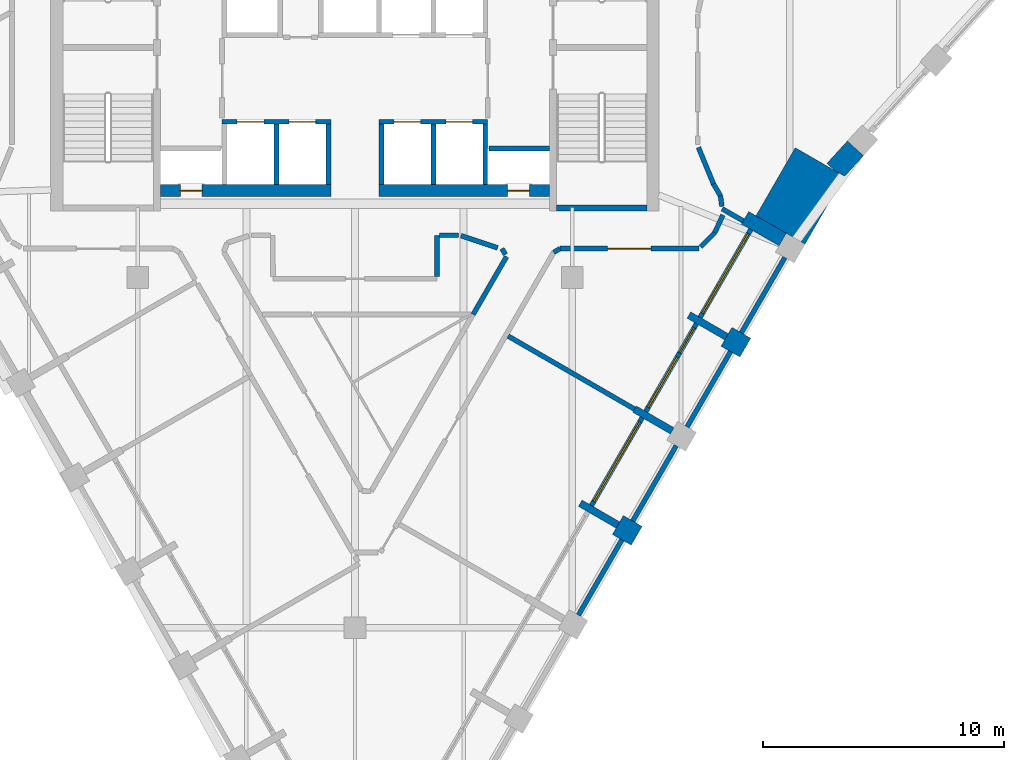
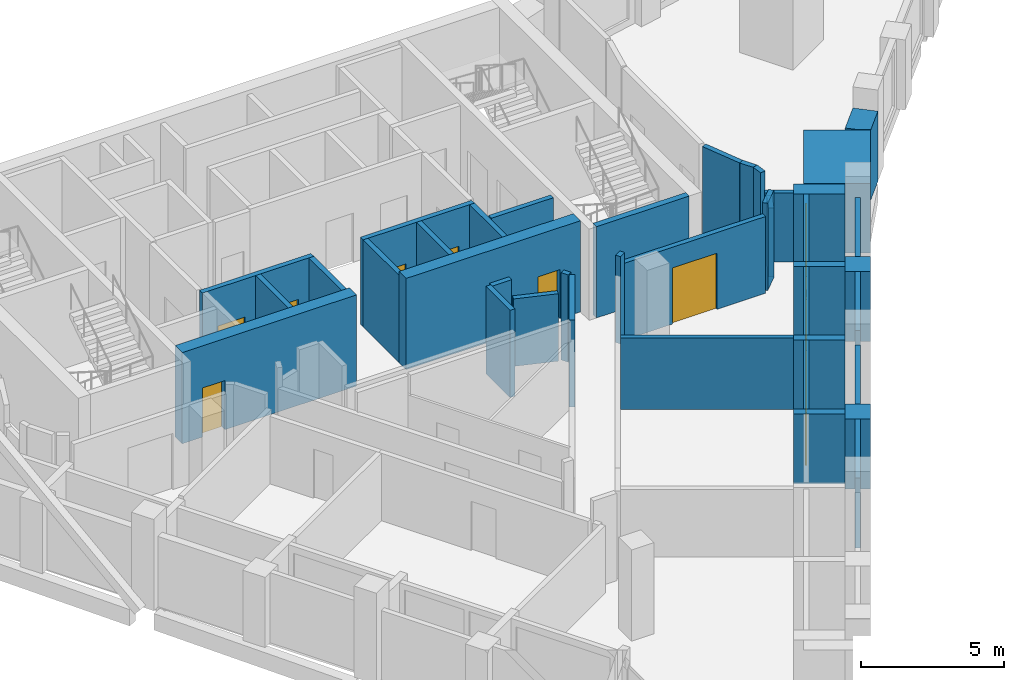
# One storey, part 4 of 8: 40 walls, 8 doors, 3 windows, 11 openings.
"""IFC4 building model written with IfcOpenShell, lengths in metres."""

from ifc_helpers import new_model, si_unit, direction, frame, frame_2d, origin, place, context, subcontext, project, spatial, polyline, rectangle, outline, extrude, material, layer, layer_set, type_object, element, fill, save


model = new_model("IFC4")

# Units and contexts
model_context = context("Model", 3, precision=1e-05, world=origin(), true_north=direction((0.0, 1.0)))
body_context = subcontext(model_context, "Body", "Model", "MODEL_VIEW")
ifc_project = project(units=[si_unit("LENGTHUNIT", "METRE"), si_unit("AREAUNIT", "SQUARE_METRE"), si_unit("VOLUMEUNIT", "CUBIC_METRE"), si_unit("PLANEANGLEUNIT", "RADIAN"), si_unit("MASSUNIT", "GRAM", prefix="KILO")], contexts=[model_context])

# Site, building, storey
site_placement = place(None, origin())
site = spatial("IfcSite", under=ifc_project, at=site_placement, CompositionType="ELEMENT")
building_placement = place(site_placement, origin())
building = spatial("IfcBuilding", under=site, at=building_placement, Name="Calabash Gate Tower", CompositionType="ELEMENT")
storey_placement = place(building_placement, frame((0.0, 0.0, 271.60009765625)))
storey = spatial("IfcBuildingStorey", under=building, at=storey_placement, Name="L65", CompositionType="ELEMENT", Elevation=271.60009765625)

# Walls
ifc_material_1 = material(Name="Terracotta brick masonry, exposed face", Category="masonry")
ifc_layer_1 = layer(ifc_material_1, 2.35009765625)
ifc_layer_set_1 = layer_set([ifc_layer_1], Name="Brick corner mass wall 2350")
wall_type_1 = type_object("IfcWallType", Name="Brick corner mass wall 2350", PredefinedType="SOLIDWALL", material=ifc_layer_set_1)
wall_1_placement = place(storey_placement, origin())
element("IfcWall", 1, at=wall_1_placement, inside=storey, type_object=wall_type_1, Name="Brick corner pier S19 2", PredefinedType="SOLIDWALL", context=body_context, shape_type="SweptSolid", body=[
    extrude(outline(polyline([(18.236083984375, 7.878173828125), (16.609375, 5.06103515625), (18.644775390625, 3.885986328125), (20.271240234375, 6.703125), (18.236083984375, 7.878173828125)])), origin(), (0.0, 0.0, 1.0), 2.973388671875),
])
ifc_material_2 = material(Name="Terracotta brick masonry, exposed face", Category="masonry")
ifc_layer_2 = layer(ifc_material_2, 0.89990234375)
ifc_layer_set_2 = layer_set([ifc_layer_2], Name="Brick end wall 900")
wall_type_2 = type_object("IfcWallType", Name="Brick end wall 900", PredefinedType="SOLIDWALL", material=ifc_layer_set_2)
for number, where, z_axis, x_axis, name in (
    (2, (10.89013671875, -7.7451171875, 0.0), (0.0, 0.0, 1.0), (0.866081705922, -0.499902469156, 0.0), "Brick pier S19 SE2.3"),
    (3, (16.169677734375, -0.40087890625, 0.0), (0.0, 0.0, 1.0), (-0.866081705922, 0.499902469156, 0.0), "Brick pier S19 SE2.5"),
):
    element("IfcWall", number, at=place(storey_placement, frame(where, z_axis=z_axis, x_axis=x_axis)), inside=storey, type_object=wall_type_2, Name=name, PredefinedType="SOLIDWALL", context=body_context, shape_type="SweptSolid", body=[
        extrude(rectangle(XDim=0.900146484375, YDim=0.89990234375, at=frame_2d((0.4501953125, 0.0))), origin(), (0.0, 0.0, 1.0), 3.0),
    ])
wall_2_placement = place(storey_placement, origin())
element("IfcWall", 4, at=wall_2_placement, inside=storey, type_object=wall_type_2, Name="Brick end wall S19 1", PredefinedType="SOLIDWALL", context=body_context, shape_type="SweptSolid", body=[
    extrude(outline(polyline([(20.394775390625, 8.15625), (19.54931640625, 7.23193359375), (19.88134765625, 6.92822265625), (20.271240234375, 6.703125), (20.24658203125, 6.66064453125), (21.058837890625, 7.548828125), (20.394775390625, 8.15625)])), origin(), (0.0, 0.0, 1.0), 3.0),
])
ifc_material_3 = material(Name="Terracotta brick masonry, exposed face", Category="masonry")
ifc_layer_3 = layer(ifc_material_3, 0.300048828125)
ifc_layer_set_3 = layer_set([ifc_layer_3], Name="Brick loggia cheek wall 300")
wall_type_3 = type_object("IfcWallType", Name="Brick loggia cheek wall 300", PredefinedType="SOLIDWALL", material=ifc_layer_set_3)
for number, where, z_axis, x_axis, name in (
    (5, (10.89013671875, -7.7451171875, 0.0), (0.0, 0.0, 1.0), (-0.865989075817, 0.500062916607, 0.0), "Loggia cheek S19 SE2.3"),
    (6, (13.14013671875, -3.847900390625, 0.0), (0.0, 0.0, 1.0), (-0.866047807691, 0.499961193289, 0.0), "Loggia cheek S19 SE2.4"),
    (7, (13.831298828125, 0.94921875, 0.0), (0.0, 0.0, 1.0), (0.865989075817, -0.500062916607, 0.0), "Loggia cheek S19 SE2.5"),
):
    element("IfcWall", number, at=place(storey_placement, frame(where, z_axis=z_axis, x_axis=x_axis)), inside=storey, type_object=wall_type_3, Name=name, PredefinedType="SOLIDWALL", context=body_context, shape_type="SweptSolid", body=[
        extrude(rectangle(XDim=1.800048828125, YDim=0.300048828125, at=frame_2d((0.89990234375, 0.0))), origin(), (0.0, 0.0, 1.0), 3.0),
    ])
wall_3_placement = place(storey_placement, frame((17.71533203125, 4.076171875, 0.0), z_axis=(0.0, 0.0, 1.0), x_axis=(-0.866047807691, 0.499961193289, 0.0)))
element("IfcWall", 8, at=wall_3_placement, inside=storey, type_object=wall_type_3, Name="Loggia cheek S19 SE2.6", PredefinedType="SOLIDWALL", context=body_context, shape_type="SweptSolid", body=[
    extrude(rectangle(XDim=1.800048828125, YDim=0.60009765625, at=frame_2d((0.89990234375, 0.0))), origin(), (0.0, 0.0, 1.0), 2.949951171875),
])
ifc_material_4 = material(Name="Concrete C60/75", Category="concrete")
ifc_layer_4 = layer(ifc_material_4, 0.25)
ifc_layer_set_4 = layer_set([ifc_layer_4], Name="Core wall 250 Concrete C60/75")
wall_type_4 = type_object("IfcWallType", Name="Core wall 250 Concrete C60/75", PredefinedType="SHEAR", material=ifc_layer_set_4)
wall_4_placement = place(storey_placement, frame((8.35009765625, 5.377685546875, 0.0), z_axis=(0.0, 0.0, 1.0), x_axis=(1.0, 0.0, 0.0)))
element("IfcWall", 9, at=wall_4_placement, inside=storey, type_object=wall_type_4, Name="Core wall Z5-SSE L65", PredefinedType="SHEAR", context=body_context, shape_type="SweptSolid", body=[
    extrude(rectangle(XDim=3.75, YDim=0.25, at=frame_2d((1.875, 0.0))), origin(), (0.0, 0.0, 1.0), 3.89990234375),
])

# Wall, opening, door
ifc_material_5 = material(Name="Concrete C60/75", Category="concrete")
ifc_layer_5 = layer(ifc_material_5, 0.5)
ifc_layer_set_5 = layer_set([ifc_layer_5], Name="Core wall 500 Concrete C60/75")
wall_type_5 = type_object("IfcWallType", Name="Core wall 500 Concrete C60/75", PredefinedType="SHEAR", material=ifc_layer_set_5)
wall_5_placement = place(storey_placement, frame((-8.050048828125, 6.1025390625, 0.0), z_axis=(0.0, 0.0, 1.0), x_axis=(1.0, 0.0, 0.0)))
wall_5 = element("IfcWall", 10, at=wall_5_placement, inside=storey, type_object=wall_type_5, Name="Core wall Z5-SA L65", PredefinedType="SHEAR", context=body_context, shape_type="SweptSolid", body=[
    extrude(rectangle(XDim=7.050048828125, YDim=0.5, at=frame_2d((3.52490234375, 0.0))), origin(), (0.0, 0.0, 1.0), 3.89990234375),
])
opening_1_placement = place(wall_5_placement, frame((0.824951171875, 0.0, 0.0)))
opening_1 = element("IfcOpeningElement", 11, at=opening_1_placement, cuts=wall_5, Name="Opening O11-009", PredefinedType="OPENING", context=body_context, shape_type="SweptSolid", body=[
    extrude(rectangle(XDim=0.89990234375, YDim=2.10009765625, at=frame_2d((0.449951171875, 1.050048828125))), frame((0.0, 0.260009765625, 0.0), z_axis=(0.0, -1.0, 0.0), x_axis=(1.0, 0.0, 0.0)), (0.0, 0.0, 1.0), 0.52001953125),
])
ifc_material_6 = material(Name="Steel fire door set with fire-resisting glazing", Category="steel")
door_type_1 = type_object("IfcDoorType", Name="Fire door D07 900x2100 FD90", OperationType="NOTDEFINED", PredefinedType="DOOR", material=ifc_material_6)
door_1_placement = place(opening_1_placement, origin())
door_1 = element("IfcDoor", 12, at=door_1_placement, inside=storey, type_object=door_type_1, Name="Electrical Riser W door", OperationType="SINGLE_SWING_LEFT", OverallHeight=2.10009765625, OverallWidth=0.89990234375, PredefinedType="DOOR", context=body_context, shape_type="SweptSolid", body=[
    extrude(rectangle(XDim=0.89990234375, YDim=2.10009765625, at=frame_2d((0.449951171875, 1.050048828125))), frame((0.0, 0.02490234375, 0.0), z_axis=(0.0, -1.0, 0.0), x_axis=(1.0, 0.0, 0.0)), (0.0, 0.0, 1.0), 0.050048828125),
])
fill(opening_1, door_1)

wall_6_placement = place(storey_placement, frame((1.0, 6.1025390625, 0.0), z_axis=(0.0, 0.0, 1.0), x_axis=(1.0, 0.0, 0.0)))
wall_6 = element("IfcWall", 13, at=wall_6_placement, inside=storey, type_object=wall_type_5, Name="Core wall Z5-SB L65", PredefinedType="SHEAR", context=body_context, shape_type="SweptSolid", body=[
    extrude(rectangle(XDim=7.050048828125, YDim=0.5, at=frame_2d((3.52490234375, 0.0))), origin(), (0.0, 0.0, 1.0), 3.89990234375),
])
opening_2_placement = place(wall_6_placement, frame((5.324951171875, 0.0, 0.0)))
opening_2 = element("IfcOpeningElement", 14, at=opening_2_placement, cuts=wall_6, Name="Opening O11-008", PredefinedType="OPENING", context=body_context, shape_type="SweptSolid", body=[
    extrude(rectangle(XDim=0.89990234375, YDim=2.10009765625, at=frame_2d((0.449951171875, 1.050048828125))), frame((0.0, 0.260009765625, 0.0), z_axis=(0.0, -1.0, 0.0), x_axis=(1.0, 0.0, 0.0)), (0.0, 0.0, 1.0), 0.52001953125),
])
door_2_placement = place(opening_2_placement, origin())
door_2 = element("IfcDoor", 15, at=door_2_placement, inside=storey, type_object=door_type_1, Name="Mechanical Riser E door", OperationType="SINGLE_SWING_RIGHT", OverallHeight=2.10009765625, OverallWidth=0.89990234375, PredefinedType="DOOR", context=body_context, shape_type="SweptSolid", body=[
    extrude(rectangle(XDim=0.89990234375, YDim=2.10009765625, at=frame_2d((0.449951171875, 1.050048828125))), frame((0.0, 0.02490234375, 0.0), z_axis=(0.0, -1.0, 0.0), x_axis=(1.0, 0.0, 0.0)), (0.0, 0.0, 1.0), 0.050048828125),
])
fill(opening_2, door_2)

# Walls
ifc_material_7 = material(Name="Gypsum board on steel studs, mineral wool", Category="steel")
ifc_layer_6 = layer(ifc_material_7, 0.199951171875)
ifc_layer_set_6 = layer_set([ifc_layer_6], Name="Partition 200 gypsum board EI 60")
wall_type_6 = type_object("IfcWallType", Name="Partition 200 gypsum board EI 60", PredefinedType="PARTITIONING", material=ifc_layer_set_6)
wall_7_placement = place(storey_placement, frame((6.343505859375, 0.07861328125, 0.0), z_axis=(0.0, 0.0, 1.0), x_axis=(0.865886439471, -0.500240616045, 0.0)))
element("IfcWall", 16, at=wall_7_placement, inside=storey, type_object=wall_type_6, Name="Partition", PredefinedType="PARTITIONING", context=body_context, shape_type="SweptSolid", body=[
    extrude(rectangle(XDim=6.04931640625, YDim=0.199951171875, at=frame_2d((3.024658203125, 0.0))), origin(), (0.0, 0.0, 1.0), 3.0517578125),
])
wall_8_placement = place(storey_placement, frame((4.894287109375, 0.973876953125, 0.0), z_axis=(0.0, 0.0, 1.0), x_axis=(0.500549430369, 0.865707957545, 0.0)))
element("IfcWall", 17, at=wall_8_placement, inside=storey, type_object=wall_type_6, Name="Partition", PredefinedType="PARTITIONING", context=body_context, shape_type="SweptSolid", body=[
    extrude(rectangle(XDim=2.76806640625, YDim=0.199951171875, at=frame_2d((1.384033203125, 0.0))), origin(), (0.0, 0.0, 1.0), 3.72998046875),
])
wall_9_placement = place(storey_placement, frame((6.08740234375, 3.699951171875, 0.0), z_axis=(0.0, 0.0, 1.0), x_axis=(0.503763385613, -0.863841681858, 0.0)))
element("IfcWall", 18, at=wall_9_placement, inside=storey, type_object=wall_type_6, Name="Partition", PredefinedType="PARTITIONING", context=body_context, shape_type="SweptSolid", body=[
    extrude(rectangle(XDim=0.281982421875, YDim=0.199951171875, at=frame_2d((0.14111328125, 0.0))), origin(), (0.0, 0.0, 1.0), 3.72998046875),
])
wall_10_placement = place(storey_placement, frame((8.2314453125, 3.545654296875, 0.0), z_axis=(0.0, 0.0, 1.0), x_axis=(0.863778900898, 0.503871025524, 0.0)))
element("IfcWall", 19, at=wall_10_placement, inside=storey, type_object=wall_type_6, Name="Partition", PredefinedType="PARTITIONING", context=body_context, shape_type="SweptSolid", body=[
    extrude(rectangle(XDim=0.30517578125, YDim=0.199951171875, at=frame_2d((0.152587890625, 0.0))), origin(), (0.0, 0.0, 1.0), 3.72998046875),
])

# Wall, opening, door
wall_11_placement = place(storey_placement, frame((8.4951171875, 3.699462890625, 0.0), z_axis=(0.0, 0.0, 1.0), x_axis=(1.0, 0.0, 0.0)))
wall_11 = element("IfcWall", 20, at=wall_11_placement, inside=storey, type_object=wall_type_6, Name="Partition", PredefinedType="PARTITIONING", context=body_context, shape_type="SweptSolid", body=[
    extrude(rectangle(XDim=5.744873046875, YDim=0.199951171875, at=frame_2d((2.87255859375, 0.0))), origin(), (0.0, 0.0, 1.0), 3.281982421875),
])
opening_3_placement = place(wall_11_placement, frame((1.972412109375, 0.0, 0.0)))
opening_3 = element("IfcOpeningElement", 21, at=opening_3_placement, cuts=wall_11, Name="Opening 65-66-009", PredefinedType="OPENING", context=body_context, shape_type="SweptSolid", body=[
    extrude(rectangle(XDim=1.800048828125, YDim=2.39990234375, at=frame_2d((0.89990234375, 1.199951171875))), frame((0.0, 0.10986328125, 0.0), z_axis=(0.0, -1.0, 0.0), x_axis=(1.0, 0.0, 0.0)), (0.0, 0.0, 1.0), 0.219970703125),
])
ifc_material_8 = material(Name="Steel fire door set with fire-resisting glazing", Category="steel")
door_type_2 = type_object("IfcDoorType", Name="OD5 Open office double door 1800x2400", OperationType="NOTDEFINED", PredefinedType="DOOR", material=ifc_material_8)
door_3_placement = place(opening_3_placement, origin())
door_3 = element("IfcDoor", 22, at=door_3_placement, inside=storey, type_object=door_type_2, Name="Open office double door", OperationType="DOUBLE_DOOR_SINGLE_SWING", OverallHeight=2.39990234375, OverallWidth=1.800048828125, PredefinedType="DOOR", context=body_context, shape_type="SweptSolid", body=[
    extrude(rectangle(XDim=1.800048828125, YDim=2.39990234375, at=frame_2d((0.89990234375, 1.199951171875))), frame((0.0, 0.02490234375, 0.0), z_axis=(0.0, -1.0, 0.0), x_axis=(1.0, 0.0, 0.0)), (0.0, 0.0, 1.0), 0.050048828125),
])
fill(opening_3, door_3)

# Walls
wall_12_placement = place(storey_placement, frame((4.392578125, 4.235595703125, 0.0), z_axis=(0.0, 0.0, 1.0), x_axis=(0.948729076189, -0.316090398453, 0.0)))
element("IfcWall", 23, at=wall_12_placement, inside=storey, type_object=wall_type_6, Name="Partition", PredefinedType="PARTITIONING", context=body_context, shape_type="SweptSolid", body=[
    extrude(rectangle(XDim=1.599609375, YDim=0.199951171875, at=frame_2d((0.7998046875, 0.0))), origin(), (0.0, 0.0, 1.0), 2.884033203125),
])
wall_13_placement = place(storey_placement, frame((3.400146484375, 2.552490234375, 0.0), z_axis=(0.0, 0.0, 1.0), x_axis=(0.001150250857, 0.999999338461, 0.0)))
element("IfcWall", 24, at=wall_13_placement, inside=storey, type_object=wall_type_6, Name="Partition", PredefinedType="PARTITIONING", context=body_context, shape_type="SweptSolid", body=[
    extrude(rectangle(XDim=1.697998046875, YDim=0.199951171875, at=frame_2d((0.84912109375, 0.0))), origin(), (0.0, 0.0, 1.0), 3.72998046875),
])
wall_14_placement = place(storey_placement, frame((3.501953125, 4.250732421875, 0.0), z_axis=(0.0, 0.0, 1.0), x_axis=(0.999997642919, 0.002171210763, 0.0)))
element("IfcWall", 25, at=wall_14_placement, inside=storey, type_object=wall_type_6, Name="Partition", PredefinedType="PARTITIONING", context=body_context, shape_type="SweptSolid", body=[
    extrude(rectangle(XDim=0.787109375, YDim=0.199951171875, at=frame_2d((0.3935546875, 0.0))), origin(), (0.0, 0.0, 1.0), 3.72998046875),
])
wall_15_placement = place(storey_placement, frame((14.310791015625, 3.770263671875, 0.0), z_axis=(0.0, 0.0, 1.0), x_axis=(0.707106781187, 0.707106781187, 0.0)))
element("IfcWall", 26, at=wall_15_placement, inside=storey, type_object=wall_type_6, Name="Partition", PredefinedType="PARTITIONING", context=body_context, shape_type="SweptSolid", body=[
    extrude(rectangle(XDim=0.833740234375, YDim=0.199951171875, at=frame_2d((0.4169921875, 0.0))), origin(), (0.0, 0.0, 1.0), 3.72998046875),
])
wall_16_placement = place(storey_placement, frame((15.208740234375, 5.347900390625, 0.0), z_axis=(0.0, 0.0, 1.0), x_axis=(0.866911543868, -0.498462009695, 0.0)))
element("IfcWall", 27, at=wall_16_placement, inside=storey, type_object=wall_type_6, Name="Partition", PredefinedType="PARTITIONING", context=body_context, shape_type="SweptSolid", body=[
    extrude(rectangle(XDim=1.006591796875, YDim=0.199951171875, at=frame_2d((0.50341796875, 0.0))), origin(), (0.0, 0.0, 1.0), 2.949951171875),
])
wall_17_placement = place(storey_placement, frame((14.900390625, 4.35986328125, 0.0), z_axis=(0.0, 0.0, 1.0), x_axis=(0.423249280481, 0.906013270638, 0.0)))
element("IfcWall", 28, at=wall_17_placement, inside=storey, type_object=wall_type_6, Name="Partition", PredefinedType="PARTITIONING", context=body_context, shape_type="SweptSolid", body=[
    extrude(rectangle(XDim=0.80810546875, YDim=0.199951171875, at=frame_2d((0.404052734375, 0.0))), origin(), (0.0, 0.0, 1.0), 2.949951171875),
])
wall_18_placement = place(storey_placement, frame((15.137451171875, 5.88916015625, 0.0), z_axis=(0.0, 0.0, 1.0), x_axis=(0.133422383108, -0.991059265476, 0.0)))
element("IfcWall", 29, at=wall_18_placement, inside=storey, type_object=wall_type_6, Name="Partition", PredefinedType="PARTITIONING", context=body_context, shape_type="SweptSolid", body=[
    extrude(rectangle(XDim=0.444580078125, YDim=0.199951171875, at=frame_2d((0.22216796875, 0.0))), origin(), (0.0, 0.0, 1.0), 3.72998046875),
])
wall_19_placement = place(storey_placement, frame((14.8505859375, 6.37353515625, 0.0), z_axis=(0.0, 0.0, 1.0), x_axis=(0.509576505793, -0.860425351058, 0.0)))
element("IfcWall", 30, at=wall_19_placement, inside=storey, type_object=wall_type_6, Name="Partition", PredefinedType="PARTITIONING", context=body_context, shape_type="SweptSolid", body=[
    extrude(rectangle(XDim=0.56298828125, YDim=0.199951171875, at=frame_2d((0.281494140625, 0.0))), origin(), (0.0, 0.0, 1.0), 3.72998046875),
])
wall_20_placement = place(storey_placement, frame((14.22509765625, 7.892822265625, 0.0), z_axis=(0.0, 0.0, 1.0), x_axis=(0.380697489052, -0.924699638709, 0.0)))
element("IfcWall", 31, at=wall_20_placement, inside=storey, type_object=wall_type_6, Name="Partition", PredefinedType="PARTITIONING", context=body_context, shape_type="SweptSolid", body=[
    extrude(rectangle(XDim=1.64306640625, YDim=0.199951171875, at=frame_2d((0.821533203125, 0.0))), origin(), (0.0, 0.0, 1.0), 3.72998046875),
])
ifc_material_9 = material(Name="Concrete C40/50", Category="concrete")
ifc_layer_7 = layer(ifc_material_9, 0.199951171875)
ifc_layer_set_7 = layer_set([ifc_layer_7], Name="Shaft wall 200 Concrete C40/50")
wall_type_7 = type_object("IfcWallType", Name="Shaft wall 200 Concrete C40/50", PredefinedType="SOLIDWALL", material=ifc_layer_set_7)
for number, where, z_axis, x_axis, name in (
    (32, (-3.25, 6.3525390625, 0.0), (0.0, 0.0, 1.0), (0.0, 1.0, 0.0), "Shaft wall"),
    (33, (-1.10009765625, 6.3525390625, 0.0), (0.0, 0.0, 1.0), (0.0, 1.0, 0.0), "Shaft wall"),
    (34, (1.10009765625, 6.3525390625, 0.0), (0.0, 0.0, 1.0), (0.0, 1.0, 0.0), "Shaft wall"),
    (35, (3.25, 6.3525390625, 0.0), (0.0, 0.0, 1.0), (0.0, 1.0, 0.0), "Shaft wall"),
    (36, (5.39990234375, 6.3525390625, 0.0), (0.0, 0.0, 1.0), (0.0, 1.0, 0.0), "Shaft wall"),
    (37, (5.550048828125, 7.8525390625, 0.0), (0.0, 0.0, 1.0), (1.0, 0.0, 0.0), "Shaft wall"),
):
    element("IfcWall", number, at=place(storey_placement, frame(where, z_axis=z_axis, x_axis=x_axis)), inside=storey, type_object=wall_type_7, Name=name, PredefinedType="SOLIDWALL", context=body_context, shape_type="SweptSolid", body=[
        extrude(rectangle(XDim=2.5, YDim=0.199951171875, at=frame_2d((1.25, 0.0))), origin(), (0.0, 0.0, 1.0), 3.72998046875),
    ])

# Wall, openings, doors
wall_21_placement = place(storey_placement, frame((-5.5, 8.95263671875, 0.0), z_axis=(0.0, 0.0, 1.0), x_axis=(1.0, 0.0, 0.0)))
wall_21 = element("IfcWall", 38, at=wall_21_placement, inside=storey, type_object=wall_type_7, Name="Shaft wall", PredefinedType="SOLIDWALL", context=body_context, shape_type="SweptSolid", body=[
    extrude(rectangle(XDim=4.5, YDim=0.199951171875, at=frame_2d((2.25, 0.0))), origin(), (0.0, 0.0, 1.0), 3.72998046875),
])
opening_4_placement = place(wall_21_placement, frame((0.625, 0.0, 0.0)))
opening_4 = element("IfcOpeningElement", 39, at=opening_4_placement, cuts=wall_21, Name="Opening LD-HR1", PredefinedType="OPENING", context=body_context, shape_type="SweptSolid", body=[
    extrude(rectangle(XDim=1.10009765625, YDim=2.10009765625, at=frame_2d((0.550048828125, 1.050048828125))), frame((0.0, 0.10986328125, 0.0), z_axis=(0.0, -1.0, 0.0), x_axis=(1.0, 0.0, 0.0)), (0.0, 0.0, 1.0), 0.219970703125),
])
opening_5_placement = place(wall_21_placement, frame((2.77490234375, 0.0, 0.0)))
opening_5 = element("IfcOpeningElement", 40, at=opening_5_placement, cuts=wall_21, Name="Opening LD-HR2", PredefinedType="OPENING", context=body_context, shape_type="SweptSolid", body=[
    extrude(rectangle(XDim=1.10009765625, YDim=2.10009765625, at=frame_2d((0.550048828125, 1.050048828125))), frame((0.0, 0.10986328125, 0.0), z_axis=(0.0, -1.0, 0.0), x_axis=(1.0, 0.0, 0.0)), (0.0, 0.0, 1.0), 0.219970703125),
])
ifc_material_10 = material(Name="Stainless steel sliding door leaves", Category="steel")
door_type_3 = type_object("IfcDoorType", Name="Lift landing door LS1 1100x2100 FD90", OperationType="DOUBLE_DOOR_SLIDING", PredefinedType="DOOR", material=ifc_material_10)
door_4_placement = place(opening_4_placement, origin())
door_4 = element("IfcDoor", 41, at=door_4_placement, inside=storey, type_object=door_type_3, Name="Lift landing door HR1", OperationType="DOUBLE_DOOR_SLIDING", OverallHeight=2.10009765625, OverallWidth=1.10009765625, PredefinedType="DOOR", context=body_context, shape_type="SweptSolid", body=[
    extrude(rectangle(XDim=1.10009765625, YDim=2.10009765625, at=frame_2d((0.550048828125, 1.050048828125))), frame((0.0, 0.02490234375, 0.0), z_axis=(0.0, -1.0, 0.0), x_axis=(1.0, 0.0, 0.0)), (0.0, 0.0, 1.0), 0.050048828125),
])
fill(opening_4, door_4)
door_5_placement = place(opening_5_placement, origin())
door_5 = element("IfcDoor", 42, at=door_5_placement, inside=storey, type_object=door_type_3, Name="Lift landing door HR2", OperationType="DOUBLE_DOOR_SLIDING", OverallHeight=2.10009765625, OverallWidth=1.10009765625, PredefinedType="DOOR", context=body_context, shape_type="SweptSolid", body=[
    extrude(rectangle(XDim=1.10009765625, YDim=2.10009765625, at=frame_2d((0.550048828125, 1.050048828125))), frame((0.0, 0.02490234375, 0.0), z_axis=(0.0, -1.0, 0.0), x_axis=(1.0, 0.0, 0.0)), (0.0, 0.0, 1.0), 0.050048828125),
])
fill(opening_5, door_5)

wall_22_placement = place(storey_placement, frame((1.0, 8.95263671875, 0.0), z_axis=(0.0, 0.0, 1.0), x_axis=(1.0, 0.0, 0.0)))
wall_22 = element("IfcWall", 43, at=wall_22_placement, inside=storey, type_object=wall_type_7, Name="Shaft wall", PredefinedType="SOLIDWALL", context=body_context, shape_type="SweptSolid", body=[
    extrude(rectangle(XDim=4.5, YDim=0.199951171875, at=frame_2d((2.25, 0.0))), origin(), (0.0, 0.0, 1.0), 3.72998046875),
])
opening_6_placement = place(wall_22_placement, frame((0.625, 0.0, 0.0)))
opening_6 = element("IfcOpeningElement", 44, at=opening_6_placement, cuts=wall_22, Name="Opening LD-HR3", PredefinedType="OPENING", context=body_context, shape_type="SweptSolid", body=[
    extrude(rectangle(XDim=1.10009765625, YDim=2.10009765625, at=frame_2d((0.550048828125, 1.050048828125))), frame((0.0, 0.10986328125, 0.0), z_axis=(0.0, -1.0, 0.0), x_axis=(1.0, 0.0, 0.0)), (0.0, 0.0, 1.0), 0.219970703125),
])
opening_7_placement = place(wall_22_placement, frame((2.77490234375, 0.0, 0.0)))
opening_7 = element("IfcOpeningElement", 45, at=opening_7_placement, cuts=wall_22, Name="Opening LD-HR4", PredefinedType="OPENING", context=body_context, shape_type="SweptSolid", body=[
    extrude(rectangle(XDim=1.10009765625, YDim=2.10009765625, at=frame_2d((0.550048828125, 1.050048828125))), frame((0.0, 0.10986328125, 0.0), z_axis=(0.0, -1.0, 0.0), x_axis=(1.0, 0.0, 0.0)), (0.0, 0.0, 1.0), 0.219970703125),
])
door_6_placement = place(opening_6_placement, origin())
door_6 = element("IfcDoor", 46, at=door_6_placement, inside=storey, type_object=door_type_3, Name="Lift landing door HR3", OperationType="DOUBLE_DOOR_SLIDING", OverallHeight=2.10009765625, OverallWidth=1.10009765625, PredefinedType="DOOR", context=body_context, shape_type="SweptSolid", body=[
    extrude(rectangle(XDim=1.10009765625, YDim=2.10009765625, at=frame_2d((0.550048828125, 1.050048828125))), frame((0.0, 0.02490234375, 0.0), z_axis=(0.0, -1.0, 0.0), x_axis=(1.0, 0.0, 0.0)), (0.0, 0.0, 1.0), 0.050048828125),
])
fill(opening_6, door_6)
door_7_placement = place(opening_7_placement, origin())
door_7 = element("IfcDoor", 47, at=door_7_placement, inside=storey, type_object=door_type_3, Name="Lift landing door HR4", OperationType="DOUBLE_DOOR_SLIDING", OverallHeight=2.10009765625, OverallWidth=1.10009765625, PredefinedType="DOOR", context=body_context, shape_type="SweptSolid", body=[
    extrude(rectangle(XDim=1.10009765625, YDim=2.10009765625, at=frame_2d((0.550048828125, 1.050048828125))), frame((0.0, 0.02490234375, 0.0), z_axis=(0.0, -1.0, 0.0), x_axis=(1.0, 0.0, 0.0)), (0.0, 0.0, 1.0), 0.050048828125),
])
fill(opening_7, door_7)

# Walls
ifc_material_11 = material(Name="Terracotta brick masonry, perforated", Category="masonry")
ifc_layer_8 = layer(ifc_material_11, 0.199951171875)
ifc_layer_set_8 = layer_set([ifc_layer_8], Name="Terracotta jaali screen A")
wall_type_8 = type_object("IfcWallType", Name="Terracotta jaali screen A", PredefinedType="SOLIDWALL", material=ifc_layer_set_8)
for number, where, z_axis, x_axis, name in (
    (48, (9.2548828125, -11.4775390625, 0.0), (0.0, 0.0, 1.0), (0.500012057535, 0.866018442252, 0.0), "SCREEN A S19 SE2.3"),
    (49, (11.5048828125, -7.580322265625, 0.0), (0.0, 0.0, 1.0), (0.500012057535, 0.866018442252, 0.0), "SCREEN A S19 SE2.4"),
):
    element("IfcWall", number, at=place(storey_placement, frame(where, z_axis=z_axis, x_axis=x_axis)), inside=storey, type_object=wall_type_8, Name=name, PredefinedType="SOLIDWALL", context=body_context, shape_type="SweptSolid", body=[
        extrude(rectangle(XDim=3.60009765625, YDim=0.199951171875, at=frame_2d((1.800048828125, 0.0))), origin(), (0.0, 0.0, 1.0), 3.0),
    ])
wall_23_placement = place(storey_placement, frame((13.7548828125, -3.683349609375, 0.0), z_axis=(0.0, 0.0, 1.0), x_axis=(0.499982693035, 0.866035395735, 0.0)))
element("IfcWall", 50, at=wall_23_placement, inside=storey, type_object=wall_type_8, Name="SCREEN A S19 SE2.5", PredefinedType="SOLIDWALL", context=body_context, shape_type="SweptSolid", body=[
    extrude(rectangle(XDim=3.600341796875, YDim=0.199951171875, at=frame_2d((1.80029296875, 0.0))), origin(), (0.0, 0.0, 1.0), 3.0),
])
wall_24_placement = place(storey_placement, frame((16.0048828125, 0.2138671875, 0.0), z_axis=(0.0, 0.0, 1.0), x_axis=(0.500012057535, 0.866018442252, 0.0)))
element("IfcWall", 51, at=wall_24_placement, inside=storey, type_object=wall_type_8, Name="SCREEN A S19 SE2.6", PredefinedType="SOLIDWALL", context=body_context, shape_type="SweptSolid", body=[
    extrude(rectangle(XDim=3.60009765625, YDim=0.199951171875, at=frame_2d((1.800048828125, 0.0))), origin(), (0.0, 0.0, 1.0), 3.0),
])

# Wall, opening, window
ifc_material_12 = material(Name="Aluminium framed window wall with insulated spandrel", Category="aluminium")
ifc_layer_9 = layer(ifc_material_12, 0.199951171875)
ifc_layer_set_9 = layer_set([ifc_layer_9], Name="Window wall 200")
wall_type_9 = type_object("IfcWallType", Name="Window wall 200", PredefinedType="ELEMENTEDWALL", material=ifc_layer_set_9)
wall_25_placement = place(storey_placement, frame((9.796142578125, -6.940185546875, 0.0), z_axis=(0.0, 0.0, 1.0), x_axis=(0.499958946799, 0.866049104564, 0.0)))
wall_25 = element("IfcWall", 52, at=wall_25_placement, inside=storey, type_object=wall_type_9, Name="Window wall S19 SE2.4", PredefinedType="ELEMENTEDWALL", context=body_context, shape_type="SweptSolid", body=[
    extrude(rectangle(XDim=4.199951171875, YDim=0.199951171875, at=frame_2d((2.10009765625, 0.0))), origin(), (0.0, 0.0, 1.0), 3.0),
])
opening_8_placement = place(wall_25_placement, frame((0.199951171875, 0.0, 0.449951171875)))
opening_8 = element("IfcOpeningElement", 53, at=opening_8_placement, cuts=wall_25, Name="Opening OW2", PredefinedType="OPENING", context=body_context, shape_type="SweptSolid", body=[
    extrude(rectangle(XDim=3.800048828125, YDim=2.25, at=frame_2d((1.89990234375, 1.125))), frame((0.0, 0.10986328125, 0.0), z_axis=(0.0, -1.0, 0.0), x_axis=(1.0, 0.0, 0.0)), (0.0, 0.0, 1.0), 0.219970703125),
])
ifc_material_13 = material(Name="Anodised aluminium frame, bronze finish, impact-rated laminated clear glazing", Category="aluminium")
window_type_1 = type_object("IfcWindowType", Name="Window OW2 3800x2250", PartitioningType="TRIPLE_PANEL_VERTICAL", PredefinedType="WINDOW", material=ifc_material_13)
window_1_placement = place(opening_8_placement, origin())
window_1 = element("IfcWindow", 54, at=window_1_placement, inside=storey, type_object=window_type_1, Name="Window OW2 S19 SE2.4", OverallHeight=2.25, OverallWidth=3.800048828125, PartitioningType="SINGLE_PANEL", PredefinedType="WINDOW", context=body_context, shape_type="SweptSolid", body=[
    extrude(rectangle(XDim=3.800048828125, YDim=2.25, at=frame_2d((1.89990234375, 1.125))), frame((0.0, 0.030029296875, 0.0), z_axis=(0.0, -1.0, 0.0), x_axis=(1.0, 0.0, 0.0)), (0.0, 0.0, 1.0), 0.06005859375),
])
fill(opening_8, window_1)

# Wall, openings, door, window
wall_26_placement = place(storey_placement, frame((12.046142578125, -3.04296875, 0.0), z_axis=(0.0, 0.0, 1.0), x_axis=(0.49998411664, 0.866034573852, 0.0)))
wall_26 = element("IfcWall", 55, at=wall_26_placement, inside=storey, type_object=wall_type_9, Name="Window wall S19 SE2.5", PredefinedType="ELEMENTEDWALL", context=body_context, shape_type="SweptSolid", body=[
    extrude(rectangle(XDim=4.199951171875, YDim=0.199951171875, at=frame_2d((2.10009765625, 0.0))), origin(), (0.0, 0.0, 1.0), 3.0),
])
opening_9_placement = place(wall_26_placement, frame((0.199951171875, 0.0, 0.449951171875)))
opening_9 = element("IfcOpeningElement", 56, at=opening_9_placement, cuts=wall_26, Name="Opening OW1", PredefinedType="OPENING", context=body_context, shape_type="SweptSolid", body=[
    extrude(rectangle(XDim=2.39990234375, YDim=2.25, at=frame_2d((1.199951171875, 1.125))), frame((0.0, 0.10986328125, 0.0), z_axis=(0.0, -1.0, 0.0), x_axis=(1.0, 0.0, 0.0)), (0.0, 0.0, 1.0), 0.219970703125),
])
opening_10_placement = place(wall_26_placement, frame((2.800048828125, 0.0, 0.0)))
opening_10 = element("IfcOpeningElement", 57, at=opening_10_placement, cuts=wall_26, Name="Opening O11-017", PredefinedType="OPENING", context=body_context, shape_type="SweptSolid", body=[
    extrude(rectangle(XDim=1.199951171875, YDim=2.699951171875, at=frame_2d((0.60009765625, 1.35009765625))), frame((0.0, 0.10986328125, 0.0), z_axis=(0.0, -1.0, 0.0), x_axis=(1.0, 0.0, 0.0)), (0.0, 0.0, 1.0), 0.219970703125),
])
ifc_material_14 = material(Name="Anodised aluminium frame, bronze finish, impact-rated laminated clear glazing", Category="aluminium")
door_type_4 = type_object("IfcDoorType", Name="Loggia door DO1 1200x2700", OperationType="SLIDING_TO_LEFT", PredefinedType="DOOR", material=ifc_material_14)
door_8_placement = place(opening_10_placement, origin())
door_8 = element("IfcDoor", 58, at=door_8_placement, inside=storey, type_object=door_type_4, Name="Loggia door S19 SE2.5", OperationType="SINGLE_SWING_LEFT", OverallHeight=2.699951171875, OverallWidth=1.199951171875, PredefinedType="DOOR", context=body_context, shape_type="SweptSolid", body=[
    extrude(rectangle(XDim=1.199951171875, YDim=2.699951171875, at=frame_2d((0.60009765625, 1.35009765625))), frame((0.0, 0.02490234375, 0.0), z_axis=(0.0, -1.0, 0.0), x_axis=(1.0, 0.0, 0.0)), (0.0, 0.0, 1.0), 0.050048828125),
])
fill(opening_10, door_8)
ifc_material_15 = material(Name="Anodised aluminium frame, bronze finish, impact-rated laminated clear glazing", Category="aluminium")
window_type_2 = type_object("IfcWindowType", Name="Window OW1 2400x2250", PartitioningType="DOUBLE_PANEL_VERTICAL", PredefinedType="WINDOW", material=ifc_material_15)
window_2_placement = place(opening_9_placement, origin())
window_2 = element("IfcWindow", 59, at=window_2_placement, inside=storey, type_object=window_type_2, Name="Window OW1 S19 SE2.5", OverallHeight=2.25, OverallWidth=2.39990234375, PartitioningType="SINGLE_PANEL", PredefinedType="WINDOW", context=body_context, shape_type="SweptSolid", body=[
    extrude(rectangle(XDim=2.39990234375, YDim=2.25, at=frame_2d((1.199951171875, 1.125))), frame((0.0, 0.030029296875, 0.0), z_axis=(0.0, -1.0, 0.0), x_axis=(1.0, 0.0, 0.0)), (0.0, 0.0, 1.0), 0.06005859375),
])
fill(opening_9, window_2)

# Wall, opening, window
wall_27_placement = place(storey_placement, frame((14.296142578125, 0.85400390625, 0.0), z_axis=(0.0, 0.0, 1.0), x_axis=(0.499958946799, 0.866049104564, 0.0)))
wall_27 = element("IfcWall", 60, at=wall_27_placement, inside=storey, type_object=wall_type_9, Name="Window wall S19 SE2.6", PredefinedType="ELEMENTEDWALL", context=body_context, shape_type="SweptSolid", body=[
    extrude(rectangle(XDim=4.199951171875, YDim=0.199951171875, at=frame_2d((2.10009765625, 0.0))), origin(), (0.0, 0.0, 1.0), 2.949951171875),
])
opening_11_placement = place(wall_27_placement, frame((0.199951171875, 0.0, 0.449951171875)))
opening_11 = element("IfcOpeningElement", 61, at=opening_11_placement, cuts=wall_27, Name="Opening OW2", PredefinedType="OPENING", context=body_context, shape_type="SweptSolid", body=[
    extrude(rectangle(XDim=3.800048828125, YDim=2.25, at=frame_2d((1.89990234375, 1.125))), frame((0.0, 0.10986328125, 0.0), z_axis=(0.0, -1.0, 0.0), x_axis=(1.0, 0.0, 0.0)), (0.0, 0.0, 1.0), 0.219970703125),
])
window_3_placement = place(opening_11_placement, origin())
window_3 = element("IfcWindow", 62, at=window_3_placement, inside=storey, type_object=window_type_1, Name="Window OW2 S19 SE2.6", OverallHeight=2.25, OverallWidth=3.800048828125, PartitioningType="SINGLE_PANEL", PredefinedType="WINDOW", context=body_context, shape_type="SweptSolid", body=[
    extrude(rectangle(XDim=3.800048828125, YDim=2.25, at=frame_2d((1.89990234375, 1.125))), frame((0.0, 0.030029296875, 0.0), z_axis=(0.0, -1.0, 0.0), x_axis=(1.0, 0.0, 0.0)), (0.0, 0.0, 1.0), 0.06005859375),
])
fill(opening_11, window_3)

save(model, "model.ifc")
